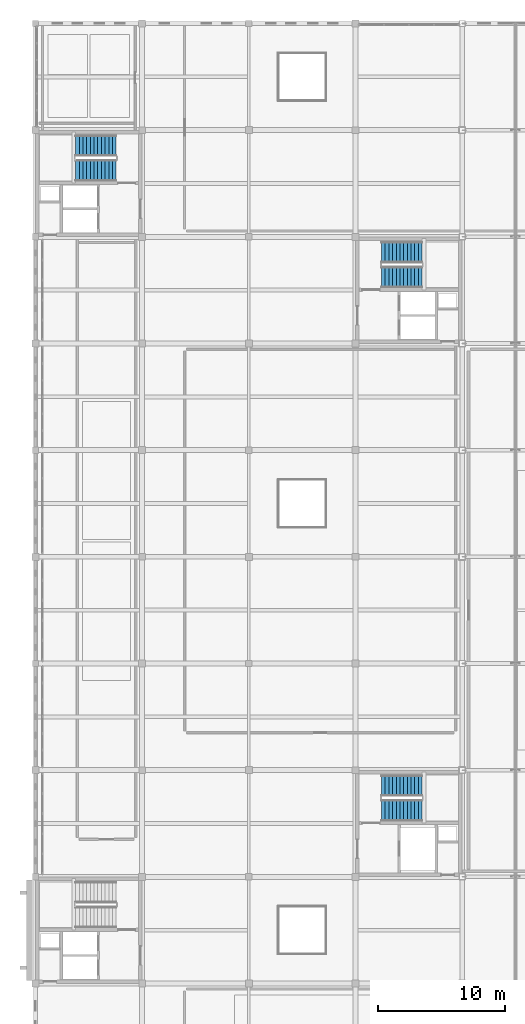
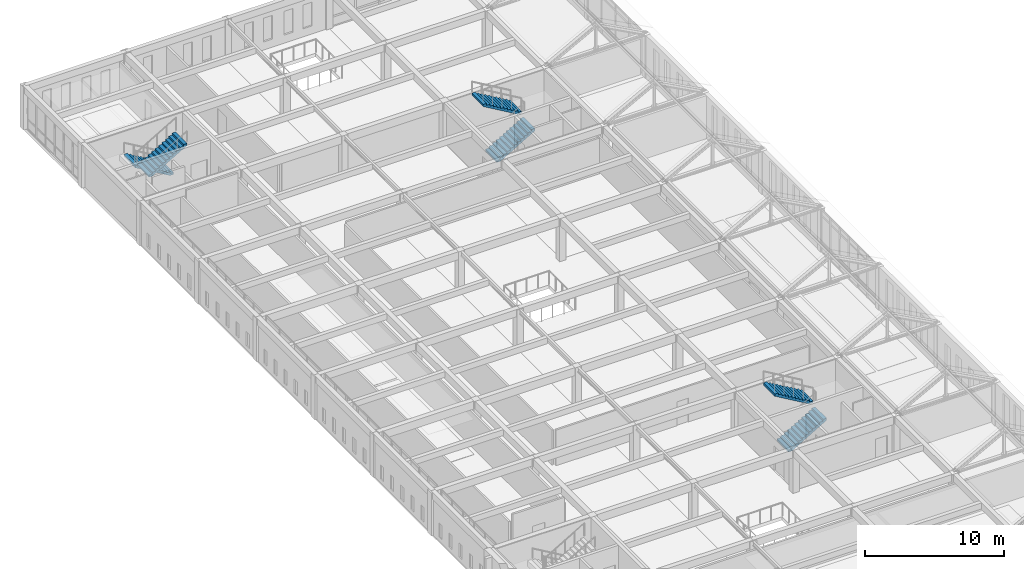
# One storey, part 33 of 36: 6 stair flights, 3 elements without a shape of their own.
"""IFC4 building model written with IfcOpenShell, lengths in metres."""

from ifc_helpers import new_model, si_unit, direction, frame, origin, place, context, subcontext, project, spatial, polyline, outline, extrude, material, type_object, element, aggregate, save


model = new_model("IFC4")

# Units and contexts
model_context = context("Model", 3, precision=1e-05, world=origin(), true_north=direction((0.0, 1.0)))
body_context = subcontext(model_context, "Body", "Model", "MODEL_VIEW")
ifc_project = project(units=[si_unit("LENGTHUNIT", "METRE"), si_unit("AREAUNIT", "SQUARE_METRE"), si_unit("VOLUMEUNIT", "CUBIC_METRE"), si_unit("PLANEANGLEUNIT", "RADIAN"), si_unit("MASSUNIT", "GRAM", prefix="KILO")], contexts=[model_context])

# Site, building, storey
site_placement = place(None, origin())
site = spatial("IfcSite", under=ifc_project, at=site_placement, CompositionType="ELEMENT")
building_placement = place(site_placement, origin())
building = spatial("IfcBuilding", under=site, at=building_placement, Name="Kveldsbrygga Polytechnic", CompositionType="ELEMENT")
storey_placement = place(building_placement, frame((0.0, 0.0, 22.10009765625)))
storey = spatial("IfcBuildingStorey", under=building, at=storey_placement, Name="L05", CompositionType="ELEMENT", Elevation=22.10009765625)

# Stair, stair flights
ifc_material = material(Name="Concrete C35/45", Category="concrete")
stair_type = type_object("IfcStairType", Name="STR-CORE-408", PredefinedType="HALF_TURN_STAIR", material=ifc_material)
stair_1_placement = place(storey_placement, origin())
stair_1 = element("IfcStair", 1, at=stair_1_placement, inside=storey, type_object=stair_type, Name="L05 Core C2 Escape Stair ST-2", PredefinedType="HALF_TURN_STAIR")
stair_flight_type = type_object("IfcStairFlightType", Name="SFL-CORE-12R", PredefinedType="STRAIGHT", material=ifc_material)
stair_flight_1_placement = place(storey_placement, frame((132.35009765625, 91.175048828125, 0.0), z_axis=(0.0, 0.0, 1.0), x_axis=(-1.0, 0.0, 0.0)))
stair_flight_1 = element("IfcStairFlight", 2, at=stair_flight_1_placement, type_object=stair_flight_type, Name="ST-2 flight 1", NumberOfRisers=12, NumberOfTreads=11, PredefinedType="STRAIGHT", RiserHeight=0.17, TreadLength=0.29, context=body_context, shape_type="SweptSolid", body=[
    extrude(outline(polyline([(0.0, 0.0), (0.0, 0.169921875), (0.2900390625, 0.169921875), (0.2900390625, 0.340087890625), (0.580078125, 0.340087890625), (0.580078125, 0.510009765625), (0.8701171875, 0.510009765625), (0.8701171875, 0.679931640625), (1.159912109375, 0.679931640625), (1.159912109375, 0.85009765625), (1.449951171875, 0.85009765625), (1.449951171875, 1.02001953125), (1.739990234375, 1.02001953125), (1.739990234375, 1.18994140625), (2.030029296875, 1.18994140625), (2.030029296875, 1.360107421875), (2.320068359375, 1.360107421875), (2.320068359375, 1.530029296875), (2.610107421875, 1.530029296875), (2.610107421875, 1.699951171875), (2.89990234375, 1.699951171875), (2.89990234375, 1.8701171875), (3.18994140625, 1.8701171875), (3.18994140625, 2.0400390625), (3.18994140625, 1.6845703125), (0.316162109375, 0.0), (0.0, 0.0)])), frame((0.0, 0.824951171875, 0.0), z_axis=(0.0, -1.0, 0.0), x_axis=(1.0, 0.0, 0.0)), (0.0, 0.0, 1.0), 1.64990234375),
])
stair_flight_2_placement = place(storey_placement, frame((129.159912109375, 89.22509765625, 2.039794921875), z_axis=(0.0, 0.0, 1.0), x_axis=(1.0, 0.0, 0.0)))
stair_flight_2 = element("IfcStairFlight", 3, at=stair_flight_2_placement, type_object=stair_flight_type, Name="ST-2 flight 2", NumberOfRisers=12, NumberOfTreads=11, PredefinedType="STRAIGHT", RiserHeight=0.17, TreadLength=0.29, context=body_context, shape_type="SweptSolid", body=[
    extrude(outline(polyline([(0.0, 0.0), (0.0, 0.169921875), (0.2900390625, 0.169921875), (0.2900390625, 0.340087890625), (0.580078125, 0.340087890625), (0.580078125, 0.510009765625), (0.8701171875, 0.510009765625), (0.8701171875, 0.679931640625), (1.159912109375, 0.679931640625), (1.159912109375, 0.85009765625), (1.449951171875, 0.85009765625), (1.449951171875, 1.02001953125), (1.739990234375, 1.02001953125), (1.739990234375, 1.18994140625), (2.030029296875, 1.18994140625), (2.030029296875, 1.360107421875), (2.320068359375, 1.360107421875), (2.320068359375, 1.530029296875), (2.610107421875, 1.530029296875), (2.610107421875, 1.699951171875), (2.89990234375, 1.699951171875), (2.89990234375, 1.8701171875), (3.18994140625, 1.8701171875), (3.18994140625, 2.0400390625), (3.18994140625, 1.6845703125), (0.316162109375, 0.0), (0.0, 0.0)])), frame((0.0, 0.824951171875, 0.0), z_axis=(0.0, -1.0, 0.0), x_axis=(1.0, 0.0, 0.0)), (0.0, 0.0, 1.0), 1.64990234375),
])
aggregate(stair_1, [stair_flight_1, stair_flight_2])

stair_2_placement = place(storey_placement, origin())
stair_2 = element("IfcStair", 4, at=stair_2_placement, inside=storey, type_object=stair_type, Name="L05 Core C3 Escape Stair ST-3", PredefinedType="HALF_TURN_STAIR")
stair_flight_3_placement = place(storey_placement, frame((153.25, 38.824951171875, 0.0), z_axis=(0.0, 0.0, 1.0), x_axis=(1.0, 0.0, 0.0)))
stair_flight_3 = element("IfcStairFlight", 5, at=stair_flight_3_placement, type_object=stair_flight_type, Name="ST-3 flight 1", NumberOfRisers=12, NumberOfTreads=11, PredefinedType="STRAIGHT", RiserHeight=0.17, TreadLength=0.29, context=body_context, shape_type="SweptSolid", body=[
    extrude(outline(polyline([(0.0, 0.0), (0.0, 0.169921875), (0.2900390625, 0.169921875), (0.2900390625, 0.340087890625), (0.580078125, 0.340087890625), (0.580078125, 0.510009765625), (0.8701171875, 0.510009765625), (0.8701171875, 0.679931640625), (1.159912109375, 0.679931640625), (1.159912109375, 0.85009765625), (1.449951171875, 0.85009765625), (1.449951171875, 1.02001953125), (1.739990234375, 1.02001953125), (1.739990234375, 1.18994140625), (2.030029296875, 1.18994140625), (2.030029296875, 1.360107421875), (2.320068359375, 1.360107421875), (2.320068359375, 1.530029296875), (2.610107421875, 1.530029296875), (2.610107421875, 1.699951171875), (2.89990234375, 1.699951171875), (2.89990234375, 1.8701171875), (3.18994140625, 1.8701171875), (3.18994140625, 2.0400390625), (3.18994140625, 1.6845703125), (0.316162109375, 0.0), (0.0, 0.0)])), frame((0.0, 0.824951171875, 0.0), z_axis=(0.0, -1.0, 0.0), x_axis=(1.0, 0.0, 0.0)), (0.0, 0.0, 1.0), 1.64990234375),
])
stair_flight_4_placement = place(storey_placement, frame((156.43994140625, 40.77490234375, 2.039794921875), z_axis=(0.0, 0.0, 1.0), x_axis=(-1.0, 0.0, 0.0)))
stair_flight_4 = element("IfcStairFlight", 6, at=stair_flight_4_placement, type_object=stair_flight_type, Name="ST-3 flight 2", NumberOfRisers=12, NumberOfTreads=11, PredefinedType="STRAIGHT", RiserHeight=0.17, TreadLength=0.29, context=body_context, shape_type="SweptSolid", body=[
    extrude(outline(polyline([(0.0, 0.0), (0.0, 0.169921875), (0.2900390625, 0.169921875), (0.2900390625, 0.340087890625), (0.580078125, 0.340087890625), (0.580078125, 0.510009765625), (0.8701171875, 0.510009765625), (0.8701171875, 0.679931640625), (1.159912109375, 0.679931640625), (1.159912109375, 0.85009765625), (1.449951171875, 0.85009765625), (1.449951171875, 1.02001953125), (1.739990234375, 1.02001953125), (1.739990234375, 1.18994140625), (2.030029296875, 1.18994140625), (2.030029296875, 1.360107421875), (2.320068359375, 1.360107421875), (2.320068359375, 1.530029296875), (2.610107421875, 1.530029296875), (2.610107421875, 1.699951171875), (2.89990234375, 1.699951171875), (2.89990234375, 1.8701171875), (3.18994140625, 1.8701171875), (3.18994140625, 2.0400390625), (3.18994140625, 1.6845703125), (0.316162109375, 0.0), (0.0, 0.0)])), frame((0.0, 0.824951171875, 0.0), z_axis=(0.0, -1.0, 0.0), x_axis=(1.0, 0.0, 0.0)), (0.0, 0.0, 1.0), 1.64990234375),
])
aggregate(stair_2, [stair_flight_3, stair_flight_4])

stair_3_placement = place(storey_placement, origin())
stair_3 = element("IfcStair", 7, at=stair_3_placement, inside=storey, type_object=stair_type, Name="L05 Core C4 Escape Stair ST-4", PredefinedType="HALF_TURN_STAIR")
stair_flight_5_placement = place(storey_placement, frame((153.25, 80.824951171875, 0.0), z_axis=(0.0, 0.0, 1.0), x_axis=(1.0, 0.0, 0.0)))
stair_flight_5 = element("IfcStairFlight", 8, at=stair_flight_5_placement, type_object=stair_flight_type, Name="ST-4 flight 1", NumberOfRisers=12, NumberOfTreads=11, PredefinedType="STRAIGHT", RiserHeight=0.17, TreadLength=0.29, context=body_context, shape_type="SweptSolid", body=[
    extrude(outline(polyline([(0.0, 0.0), (0.0, 0.169921875), (0.2900390625, 0.169921875), (0.2900390625, 0.340087890625), (0.580078125, 0.340087890625), (0.580078125, 0.510009765625), (0.8701171875, 0.510009765625), (0.8701171875, 0.679931640625), (1.159912109375, 0.679931640625), (1.159912109375, 0.85009765625), (1.449951171875, 0.85009765625), (1.449951171875, 1.02001953125), (1.739990234375, 1.02001953125), (1.739990234375, 1.18994140625), (2.030029296875, 1.18994140625), (2.030029296875, 1.360107421875), (2.320068359375, 1.360107421875), (2.320068359375, 1.530029296875), (2.610107421875, 1.530029296875), (2.610107421875, 1.699951171875), (2.89990234375, 1.699951171875), (2.89990234375, 1.8701171875), (3.18994140625, 1.8701171875), (3.18994140625, 2.0400390625), (3.18994140625, 1.6845703125), (0.316162109375, 0.0), (0.0, 0.0)])), frame((0.0, 0.824951171875, 0.0), z_axis=(0.0, -1.0, 0.0), x_axis=(1.0, 0.0, 0.0)), (0.0, 0.0, 1.0), 1.64990234375),
])
stair_flight_6_placement = place(storey_placement, frame((156.43994140625, 82.77490234375, 2.039794921875), z_axis=(0.0, 0.0, 1.0), x_axis=(-1.0, 0.0, 0.0)))
stair_flight_6 = element("IfcStairFlight", 9, at=stair_flight_6_placement, type_object=stair_flight_type, Name="ST-4 flight 2", NumberOfRisers=12, NumberOfTreads=11, PredefinedType="STRAIGHT", RiserHeight=0.17, TreadLength=0.29, context=body_context, shape_type="SweptSolid", body=[
    extrude(outline(polyline([(0.0, 0.0), (0.0, 0.169921875), (0.2900390625, 0.169921875), (0.2900390625, 0.340087890625), (0.580078125, 0.340087890625), (0.580078125, 0.510009765625), (0.8701171875, 0.510009765625), (0.8701171875, 0.679931640625), (1.159912109375, 0.679931640625), (1.159912109375, 0.85009765625), (1.449951171875, 0.85009765625), (1.449951171875, 1.02001953125), (1.739990234375, 1.02001953125), (1.739990234375, 1.18994140625), (2.030029296875, 1.18994140625), (2.030029296875, 1.360107421875), (2.320068359375, 1.360107421875), (2.320068359375, 1.530029296875), (2.610107421875, 1.530029296875), (2.610107421875, 1.699951171875), (2.89990234375, 1.699951171875), (2.89990234375, 1.8701171875), (3.18994140625, 1.8701171875), (3.18994140625, 2.0400390625), (3.18994140625, 1.6845703125), (0.316162109375, 0.0), (0.0, 0.0)])), frame((0.0, 0.824951171875, 0.0), z_axis=(0.0, -1.0, 0.0), x_axis=(1.0, 0.0, 0.0)), (0.0, 0.0, 1.0), 1.64990234375),
])
aggregate(stair_3, [stair_flight_5, stair_flight_6])

save(model, "model.ifc")
